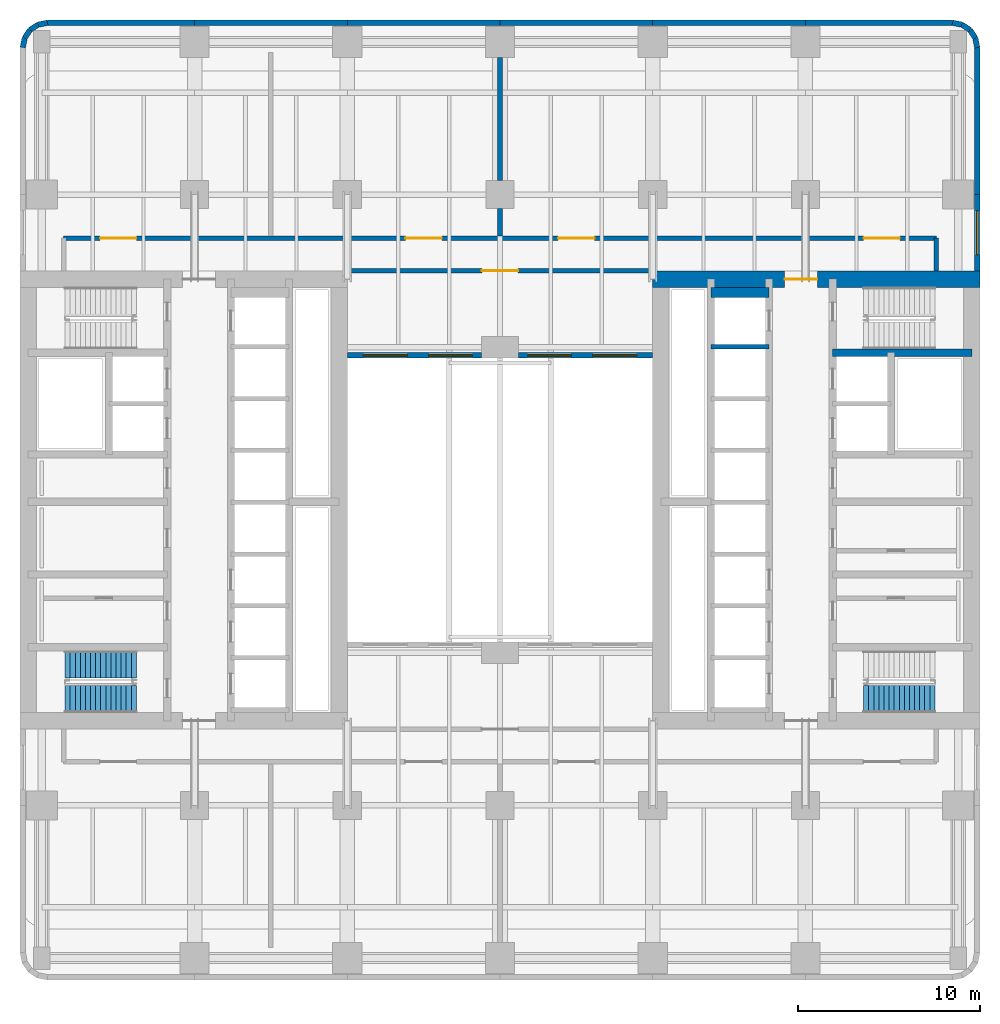
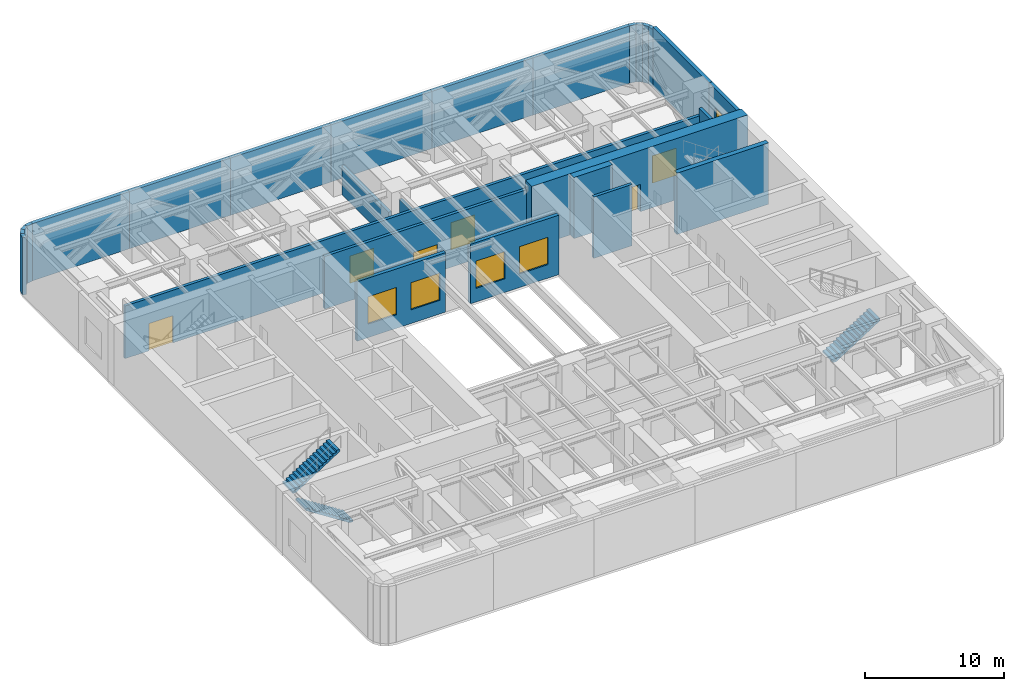
# One storey, part 6 of 11: 27 walls, 6 doors, 5 windows, 3 stair flights, 11 openings, 2 elements without a shape of their own.
"""IFC4 building model written with IfcOpenShell, lengths in metres."""

from ifc_helpers import new_model, si_unit, direction, frame, frame_2d, origin, place, context, subcontext, project, spatial, polyline, rectangle, outline, extrude, material, layer, layer_set, type_object, element, fill, aggregate, save


model = new_model("IFC4")

# Units and contexts
model_context = context("Model", 3, precision=1e-05, world=origin(), true_north=direction((0.0, 1.0)))
body_context = subcontext(model_context, "Body", "Model", "MODEL_VIEW")
ifc_project = project(units=[si_unit("LENGTHUNIT", "METRE"), si_unit("AREAUNIT", "SQUARE_METRE"), si_unit("VOLUMEUNIT", "CUBIC_METRE"), si_unit("PLANEANGLEUNIT", "RADIAN"), si_unit("MASSUNIT", "GRAM", prefix="KILO")], contexts=[model_context])

# Site, building, storey
site_placement = place(None, origin())
site = spatial("IfcSite", under=ifc_project, at=site_placement, CompositionType="ELEMENT")
building_placement = place(site_placement, origin())
building = spatial("IfcBuilding", under=site, at=building_placement, Name="Claustro Exchange Tower", CompositionType="ELEMENT")
storey_placement = place(building_placement, frame((0.0, 0.0, 90.89990234375)))
storey = spatial("IfcBuildingStorey", under=building, at=storey_placement, Name="L20", CompositionType="ELEMENT", Elevation=90.89990234375)

# Wall, openings, doors
ifc_material_1 = material(Name="Concrete blockwork, rendered", Category="masonry")
ifc_layer_1 = layer(ifc_material_1, 0.25)
ifc_layer_set_1 = layer_set([ifc_layer_1], Name="Concrete blockwork, rendered")
wall_type_1 = type_object("IfcWallType", Name="P4 250 blockwork wall", PredefinedType="PARTITIONING", material=ifc_layer_set_1)
wall_1_placement = place(storey_placement, frame((1.199951171875, 39.60009765625, 0.0), z_axis=(0.0, 0.0, 1.0), x_axis=(1.0, 0.0, 0.0)))
wall_1 = element("IfcWall", 1, at=wall_1_placement, inside=storey, type_object=wall_type_1, Name="Partition P4 L20", PredefinedType="PARTITIONING", context=body_context, shape_type="SweptSolid", body=[
    extrude(rectangle(XDim=48.0, YDim=0.25, at=frame_2d((24.0, 0.0))), origin(), (0.0, 0.0, 1.0), 4.64013671875),
])
opening_1_placement = place(wall_1_placement, frame((2.0, 0.0, 0.0)))
opening_1 = element("IfcOpeningElement", 2, at=opening_1_placement, cuts=wall_1, Name="Opening D9", PredefinedType="OPENING", context=body_context, shape_type="SweptSolid", body=[
    extrude(rectangle(XDim=2.0, YDim=2.39990234375, at=frame_2d((1.0, 1.199951171875))), frame((0.0, 0.135009765625, 0.0), z_axis=(0.0, -1.0, 0.0), x_axis=(1.0, 0.0, 0.0)), (0.0, 0.0, 1.0), 0.27001953125),
])
opening_2_placement = place(wall_1_placement, frame((18.800048828125, 0.0, 0.0)))
opening_2 = element("IfcOpeningElement", 3, at=opening_2_placement, cuts=wall_1, Name="Opening D9", PredefinedType="OPENING", context=body_context, shape_type="SweptSolid", body=[
    extrude(rectangle(XDim=2.0, YDim=2.39990234375, at=frame_2d((1.0, 1.199951171875))), frame((0.0, 0.135009765625, 0.0), z_axis=(0.0, -1.0, 0.0), x_axis=(1.0, 0.0, 0.0)), (0.0, 0.0, 1.0), 0.27001953125),
])
opening_3_placement = place(wall_1_placement, frame((27.199951171875, 0.0, 0.0)))
opening_3 = element("IfcOpeningElement", 4, at=opening_3_placement, cuts=wall_1, Name="Opening D9", PredefinedType="OPENING", context=body_context, shape_type="SweptSolid", body=[
    extrude(rectangle(XDim=2.0, YDim=2.39990234375, at=frame_2d((1.0, 1.199951171875))), frame((0.0, 0.135009765625, 0.0), z_axis=(0.0, -1.0, 0.0), x_axis=(1.0, 0.0, 0.0)), (0.0, 0.0, 1.0), 0.27001953125),
])
opening_4_placement = place(wall_1_placement, frame((44.0, 0.0, 0.0)))
opening_4 = element("IfcOpeningElement", 5, at=opening_4_placement, cuts=wall_1, Name="Opening D9", PredefinedType="OPENING", context=body_context, shape_type="SweptSolid", body=[
    extrude(rectangle(XDim=2.0, YDim=2.39990234375, at=frame_2d((1.0, 1.199951171875))), frame((0.0, 0.135009765625, 0.0), z_axis=(0.0, -1.0, 0.0), x_axis=(1.0, 0.0, 0.0)), (0.0, 0.0, 1.0), 0.27001953125),
])
ifc_material_2 = material(Name="Steel fire door, painted", Category="steel")
door_type_1 = type_object("IfcDoorType", Name="D9 2000 x 2400 plant room double door", OperationType="DOUBLE_DOOR_SINGLE_SWING", PredefinedType="DOOR", material=ifc_material_2)
door_1_placement = place(opening_1_placement, origin())
door_1 = element("IfcDoor", 6, at=door_1_placement, inside=storey, type_object=door_type_1, Name="Double door D9 L20", OperationType="DOUBLE_DOOR_SINGLE_SWING", OverallHeight=2.39990234375, OverallWidth=2.0, PredefinedType="DOOR", context=body_context, shape_type="SweptSolid", body=[
    extrude(rectangle(XDim=2.0, YDim=2.39990234375, at=frame_2d((1.0, 1.199951171875))), frame((0.0, 0.02490234375, 0.0), z_axis=(0.0, -1.0, 0.0), x_axis=(1.0, 0.0, 0.0)), (0.0, 0.0, 1.0), 0.050048828125),
])
fill(opening_1, door_1)
door_2_placement = place(opening_2_placement, origin())
door_2 = element("IfcDoor", 7, at=door_2_placement, inside=storey, type_object=door_type_1, Name="Double door D9 L20", OperationType="DOUBLE_DOOR_SINGLE_SWING", OverallHeight=2.39990234375, OverallWidth=2.0, PredefinedType="DOOR", context=body_context, shape_type="SweptSolid", body=[
    extrude(rectangle(XDim=2.0, YDim=2.39990234375, at=frame_2d((1.0, 1.199951171875))), frame((0.0, 0.02490234375, 0.0), z_axis=(0.0, -1.0, 0.0), x_axis=(1.0, 0.0, 0.0)), (0.0, 0.0, 1.0), 0.050048828125),
])
fill(opening_2, door_2)
door_3_placement = place(opening_3_placement, origin())
door_3 = element("IfcDoor", 8, at=door_3_placement, inside=storey, type_object=door_type_1, Name="Double door D9 L20", OperationType="DOUBLE_DOOR_SINGLE_SWING", OverallHeight=2.39990234375, OverallWidth=2.0, PredefinedType="DOOR", context=body_context, shape_type="SweptSolid", body=[
    extrude(rectangle(XDim=2.0, YDim=2.39990234375, at=frame_2d((1.0, 1.199951171875))), frame((0.0, 0.02490234375, 0.0), z_axis=(0.0, -1.0, 0.0), x_axis=(1.0, 0.0, 0.0)), (0.0, 0.0, 1.0), 0.050048828125),
])
fill(opening_3, door_3)
door_4_placement = place(opening_4_placement, origin())
door_4 = element("IfcDoor", 9, at=door_4_placement, inside=storey, type_object=door_type_1, Name="Double door D9 L20", OperationType="DOUBLE_DOOR_SINGLE_SWING", OverallHeight=2.39990234375, OverallWidth=2.0, PredefinedType="DOOR", context=body_context, shape_type="SweptSolid", body=[
    extrude(rectangle(XDim=2.0, YDim=2.39990234375, at=frame_2d((1.0, 1.199951171875))), frame((0.0, 0.02490234375, 0.0), z_axis=(0.0, -1.0, 0.0), x_axis=(1.0, 0.0, 0.0)), (0.0, 0.0, 1.0), 0.050048828125),
])
fill(opening_4, door_4)

# Walls
wall_2_placement = place(storey_placement, frame((49.199951171875, 37.800048828125, 0.0), z_axis=(0.0, 0.0, 1.0), x_axis=(0.0, 1.0, 0.0)))
element("IfcWall", 10, at=wall_2_placement, inside=storey, type_object=wall_type_1, Name="Partition P4 L20", PredefinedType="PARTITIONING", context=body_context, shape_type="SweptSolid", body=[
    extrude(rectangle(XDim=1.800048828125, YDim=0.25, at=frame_2d((0.89990234375, 0.0))), origin(), (0.0, 0.0, 1.0), 5.239990234375),
])
wall_3_placement = place(storey_placement, frame((25.199951171875, 39.72412109375, 0.0), z_axis=(0.0, 0.0, 1.0), x_axis=(0.0, 1.0, 0.0)))
element("IfcWall", 11, at=wall_3_placement, inside=storey, type_object=wall_type_1, Name="Partition P4 L20", PredefinedType="PARTITIONING", context=body_context, shape_type="SweptSolid", body=[
    extrude(rectangle(XDim=1.501953125, YDim=0.25, at=frame_2d((0.7509765625, 0.0))), origin(), (0.0, 0.0, 1.0), 4.64013671875),
])
wall_4_placement = place(storey_placement, frame((25.199951171875, 42.77392578125, 0.0), z_axis=(0.0, 0.0, 1.0), x_axis=(0.0, 1.0, 0.0)))
element("IfcWall", 12, at=wall_4_placement, inside=storey, type_object=wall_type_1, Name="Partition P4 L20", PredefinedType="PARTITIONING", context=body_context, shape_type="SweptSolid", body=[
    extrude(rectangle(XDim=6.777099609375, YDim=0.25, at=frame_2d((3.388671875, 0.0))), origin(), (0.0, 0.0, 1.0), 2.5400390625),
])

# Wall, opening, door
wall_5_placement = place(storey_placement, frame((16.798095703125, 37.800048828125, 0.0), z_axis=(0.0, 0.0, 1.0), x_axis=(1.0, 0.0, 0.0)))
wall_5 = element("IfcWall", 13, at=wall_5_placement, inside=storey, type_object=wall_type_1, Name="Partition P4 L20", PredefinedType="PARTITIONING", context=body_context, shape_type="SweptSolid", body=[
    extrude(rectangle(XDim=16.803955078125, YDim=0.25, at=frame_2d((8.40185546875, 0.0))), origin(), (0.0, 0.0, 1.0), 4.64013671875),
])
opening_5_placement = place(wall_5_placement, frame((7.402099609375, 0.0, 0.0)))
opening_5 = element("IfcOpeningElement", 14, at=opening_5_placement, cuts=wall_5, Name="Opening D9", PredefinedType="OPENING", context=body_context, shape_type="SweptSolid", body=[
    extrude(rectangle(XDim=2.0, YDim=2.39990234375, at=frame_2d((1.0, 1.199951171875))), frame((0.0, 0.135009765625, 0.0), z_axis=(0.0, -1.0, 0.0), x_axis=(1.0, 0.0, 0.0)), (0.0, 0.0, 1.0), 0.27001953125),
])
door_5_placement = place(opening_5_placement, origin())
door_5 = element("IfcDoor", 15, at=door_5_placement, inside=storey, type_object=door_type_1, Name="Double door D9 L20", OperationType="DOUBLE_DOOR_SINGLE_SWING", OverallHeight=2.39990234375, OverallWidth=2.0, PredefinedType="DOOR", context=body_context, shape_type="SweptSolid", body=[
    extrude(rectangle(XDim=2.0, YDim=2.39990234375, at=frame_2d((1.0, 1.199951171875))), frame((0.0, 0.02490234375, 0.0), z_axis=(0.0, -1.0, 0.0), x_axis=(1.0, 0.0, 0.0)), (0.0, 0.0, 1.0), 0.050048828125),
])
fill(opening_5, door_5)

# Walls
ifc_material_3 = material(Name="Concrete HA-40 (C40/50), precast, white cement, acid-etched", Category="concrete")
ifc_layer_2 = layer(ifc_material_3, 0.300048828125)
ifc_layer_set_2 = layer_set([ifc_layer_2], Name="Concrete HA-40 (C40/50), precast, white cement, acid-etched")
wall_type_2 = type_object("IfcWallType", Name="PC1 300 precast concrete pier panel", PredefinedType="SOLIDWALL", material=ifc_layer_set_2)
wall_6_placement = place(storey_placement, frame((-1.050048828125, 50.085205078125, 0.0), z_axis=(0.0, 0.0, 1.0), x_axis=(0.195073962632, 0.980788534345, 0.0)))
element("IfcWall", 16, at=wall_6_placement, inside=storey, type_object=wall_type_2, Name="Precast pier panel PC1 L20", PredefinedType="SOLIDWALL", context=body_context, shape_type="SweptSolid", body=[
    extrude(rectangle(XDim=0.540771484375, YDim=0.300048828125, at=frame_2d((0.2705078125, 0.0))), origin(), (0.0, 0.0, 1.0), 5.0400390625),
])
for number, where, z_axis, x_axis, name in (
    (17, (-0.944580078125, 50.615478515625, 0.0), (0.0, 0.0, 1.0), (0.555557463938, 0.831478144188, 0.0), "Precast pier panel PC1 L20"),
    (18, (-0.652587890625, 51.052490234375, 0.0), (0.0, 0.0, 1.0), (0.831478144188, 0.555557463938, 0.0), "Precast pier panel PC1 L20"),
):
    element("IfcWall", number, at=place(storey_placement, frame(where, z_axis=z_axis, x_axis=x_axis)), inside=storey, type_object=wall_type_2, Name=name, PredefinedType="SOLIDWALL", context=body_context, shape_type="SweptSolid", body=[
        extrude(rectangle(XDim=0.525634765625, YDim=0.300048828125, at=frame_2d((0.2626953125, 0.0))), origin(), (0.0, 0.0, 1.0), 5.0400390625),
    ])
wall_7_placement = place(storey_placement, frame((-0.215576171875, 51.344482421875, 0.0), z_axis=(0.0, 0.0, 1.0), x_axis=(0.980788534345, 0.195073962632, 0.0)))
element("IfcWall", 19, at=wall_7_placement, inside=storey, type_object=wall_type_2, Name="Precast pier panel PC1 L20", PredefinedType="SOLIDWALL", context=body_context, shape_type="SweptSolid", body=[
    extrude(rectangle(XDim=0.540771484375, YDim=0.300048828125, at=frame_2d((0.2705078125, 0.0))), origin(), (0.0, 0.0, 1.0), 5.0400390625),
])
wall_8_placement = place(storey_placement, frame((0.314697265625, 51.449951171875, 0.0), z_axis=(0.0, 0.0, 1.0), x_axis=(1.0, 0.0, 0.0)))
element("IfcWall", 20, at=wall_8_placement, inside=storey, type_object=wall_type_2, Name="Precast pier panel PC1 L20", PredefinedType="SOLIDWALL", context=body_context, shape_type="SweptSolid", body=[
    extrude(rectangle(XDim=8.085205078125, YDim=0.300048828125, at=frame_2d((4.04248046875, 0.0))), origin(), (0.0, 0.0, 1.0), 5.0400390625),
])
wall_9_placement = place(storey_placement, frame((8.39990234375, 51.449951171875, 0.0), z_axis=(0.0, 0.0, 1.0), x_axis=(1.0, 0.0, 0.0)))
element("IfcWall", 21, at=wall_9_placement, inside=storey, type_object=wall_type_2, Name="Precast pier panel PC1 L20", PredefinedType="SOLIDWALL", context=body_context, shape_type="SweptSolid", body=[
    extrude(rectangle(XDim=8.400146484375, YDim=0.300048828125, at=frame_2d((4.2001953125, 0.0))), origin(), (0.0, 0.0, 1.0), 5.0400390625),
])
wall_10_placement = place(storey_placement, frame((16.800048828125, 51.449951171875, 0.0), z_axis=(0.0, 0.0, 1.0), x_axis=(1.0, 0.0, 0.0)))
element("IfcWall", 22, at=wall_10_placement, inside=storey, type_object=wall_type_2, Name="Precast pier panel PC1 L20", PredefinedType="SOLIDWALL", context=body_context, shape_type="SweptSolid", body=[
    extrude(rectangle(XDim=8.39990234375, YDim=0.300048828125, at=frame_2d((4.199951171875, 0.0))), origin(), (0.0, 0.0, 1.0), 5.0400390625),
])
wall_11_placement = place(storey_placement, frame((25.199951171875, 51.449951171875, 0.0), z_axis=(0.0, 0.0, 1.0), x_axis=(1.0, 0.0, 0.0)))
element("IfcWall", 23, at=wall_11_placement, inside=storey, type_object=wall_type_2, Name="Precast pier panel PC1 L20", PredefinedType="SOLIDWALL", context=body_context, shape_type="SweptSolid", body=[
    extrude(rectangle(XDim=8.400146484375, YDim=0.300048828125, at=frame_2d((4.2001953125, 0.0))), origin(), (0.0, 0.0, 1.0), 5.0400390625),
])
wall_12_placement = place(storey_placement, frame((33.60009765625, 51.449951171875, 0.0), z_axis=(0.0, 0.0, 1.0), x_axis=(1.0, 0.0, 0.0)))
element("IfcWall", 24, at=wall_12_placement, inside=storey, type_object=wall_type_2, Name="Precast pier panel PC1 L20", PredefinedType="SOLIDWALL", context=body_context, shape_type="SweptSolid", body=[
    extrude(rectangle(XDim=8.39990234375, YDim=0.300048828125, at=frame_2d((4.199951171875, 0.0))), origin(), (0.0, 0.0, 1.0), 5.0400390625),
])
wall_13_placement = place(storey_placement, frame((42.0, 51.449951171875, 0.0), z_axis=(0.0, 0.0, 1.0), x_axis=(1.0, 0.0, 0.0)))
element("IfcWall", 25, at=wall_13_placement, inside=storey, type_object=wall_type_2, Name="Precast pier panel PC1 L20", PredefinedType="SOLIDWALL", context=body_context, shape_type="SweptSolid", body=[
    extrude(rectangle(XDim=8.085205078125, YDim=0.300048828125, at=frame_2d((4.04248046875, 0.0))), origin(), (0.0, 0.0, 1.0), 5.0400390625),
])
wall_14_placement = place(storey_placement, frame((50.085205078125, 51.449951171875, 0.0), z_axis=(0.0, 0.0, 1.0), x_axis=(0.980788534345, -0.195073962632, 0.0)))
element("IfcWall", 26, at=wall_14_placement, inside=storey, type_object=wall_type_2, Name="Precast pier panel PC1 L20", PredefinedType="SOLIDWALL", context=body_context, shape_type="SweptSolid", body=[
    extrude(rectangle(XDim=0.540771484375, YDim=0.300048828125, at=frame_2d((0.2705078125, 0.0))), origin(), (0.0, 0.0, 1.0), 5.0400390625),
])
for number, where, z_axis, x_axis, name in (
    (27, (50.615478515625, 51.344482421875, 0.0), (0.0, 0.0, 1.0), (0.831478144188, -0.555557463938, 0.0), "Precast pier panel PC1 L20"),
    (28, (51.052490234375, 51.052490234375, 0.0), (0.0, 0.0, 1.0), (0.555557463938, -0.831478144188, 0.0), "Precast pier panel PC1 L20"),
):
    element("IfcWall", number, at=place(storey_placement, frame(where, z_axis=z_axis, x_axis=x_axis)), inside=storey, type_object=wall_type_2, Name=name, PredefinedType="SOLIDWALL", context=body_context, shape_type="SweptSolid", body=[
        extrude(rectangle(XDim=0.525634765625, YDim=0.300048828125, at=frame_2d((0.2626953125, 0.0))), origin(), (0.0, 0.0, 1.0), 5.0400390625),
    ])
wall_15_placement = place(storey_placement, frame((51.344482421875, 50.615478515625, 0.0), z_axis=(0.0, 0.0, 1.0), x_axis=(0.195073962632, -0.980788534345, 0.0)))
element("IfcWall", 29, at=wall_15_placement, inside=storey, type_object=wall_type_2, Name="Precast pier panel PC1 L20", PredefinedType="SOLIDWALL", context=body_context, shape_type="SweptSolid", body=[
    extrude(rectangle(XDim=0.540771484375, YDim=0.300048828125, at=frame_2d((0.2705078125, 0.0))), origin(), (0.0, 0.0, 1.0), 5.0400390625),
])
wall_16_placement = place(storey_placement, frame((51.449951171875, 50.085205078125, 0.0), z_axis=(0.0, 0.0, 1.0), x_axis=(0.0, -1.0, 0.0)))
element("IfcWall", 30, at=wall_16_placement, inside=storey, type_object=wall_type_2, Name="Precast pier panel PC1 L20", PredefinedType="SOLIDWALL", context=body_context, shape_type="SweptSolid", body=[
    extrude(rectangle(XDim=8.085205078125, YDim=0.300048828125, at=frame_2d((4.04248046875, 0.0))), origin(), (0.0, 0.0, 1.0), 5.239990234375),
])

# Wall, opening, window
wall_17_placement = place(storey_placement, frame((51.449951171875, 42.0, 0.0), z_axis=(0.0, 0.0, 1.0), x_axis=(0.0, -1.0, 0.0)))
wall_17 = element("IfcWall", 31, at=wall_17_placement, inside=storey, type_object=wall_type_2, Name="Precast pier panel PC1 L20", PredefinedType="SOLIDWALL", context=body_context, shape_type="SweptSolid", body=[
    extrude(rectangle(XDim=4.199951171875, YDim=0.300048828125, at=frame_2d((2.10009765625, 0.0))), origin(), (0.0, 0.0, 1.0), 5.239990234375),
])
opening_6_placement = place(wall_17_placement, frame((0.89990234375, 0.0, 1.199951171875)))
opening_6 = element("IfcOpeningElement", 32, at=opening_6_placement, cuts=wall_17, Name="Opening L2", PredefinedType="OPENING", context=body_context, shape_type="SweptSolid", body=[
    extrude(rectangle(XDim=2.39990234375, YDim=2.39990234375, at=frame_2d((1.199951171875, 1.199951171875))), frame((0.0, 0.159912109375, 0.0), z_axis=(0.0, -1.0, 0.0), x_axis=(1.0, 0.0, 0.0)), (0.0, 0.0, 1.0), 0.320068359375),
])
ifc_material_4 = material(Name="Aluminium louvre blades", Category="aluminium")
window_type = type_object("IfcWindowType", Name="L2 2400 x 2400 plant louvre", PartitioningType="SINGLE_PANEL", PredefinedType="USERDEFINED", material=ifc_material_4)
window_1_placement = place(opening_6_placement, origin())
window_1 = element("IfcWindow", 33, at=window_1_placement, inside=storey, type_object=window_type, Name="Plant louvre L2 L20", ObjectType="LOUVRE", OverallHeight=2.39990234375, OverallWidth=2.39990234375, PartitioningType="SINGLE_PANEL", PredefinedType="USERDEFINED", context=body_context, shape_type="SweptSolid", body=[
    extrude(rectangle(XDim=2.39990234375, YDim=2.39990234375, at=frame_2d((1.199951171875, 1.199951171875))), frame((0.0, 0.030029296875, 0.0), z_axis=(0.0, -1.0, 0.0), x_axis=(1.0, 0.0, 0.0)), (0.0, 0.0, 1.0), 0.06005859375),
])
fill(opening_6, window_1)

# Wall, openings, windows
wall_18_placement = place(storey_placement, frame((16.800048828125, 33.14990234375, 0.0), z_axis=(0.0, 0.0, 1.0), x_axis=(1.0, 0.0, 0.0)))
wall_18 = element("IfcWall", 34, at=wall_18_placement, inside=storey, type_object=wall_type_2, Name="Precast pier panel PC1 L20", PredefinedType="SOLIDWALL", context=body_context, shape_type="SweptSolid", body=[
    extrude(rectangle(XDim=7.375, YDim=0.300048828125, at=frame_2d((3.6875, 0.0))), origin(), (0.0, 0.0, 1.0), 5.239990234375),
])
opening_7_placement = place(wall_18_placement, frame((0.887451171875, 0.0, 1.199951171875)))
opening_7 = element("IfcOpeningElement", 35, at=opening_7_placement, cuts=wall_18, Name="Opening L2", PredefinedType="OPENING", context=body_context, shape_type="SweptSolid", body=[
    extrude(rectangle(XDim=2.39990234375, YDim=2.39990234375, at=frame_2d((1.199951171875, 1.199951171875))), frame((0.0, 0.159912109375, 0.0), z_axis=(0.0, -1.0, 0.0), x_axis=(1.0, 0.0, 0.0)), (0.0, 0.0, 1.0), 0.320068359375),
])
opening_8_placement = place(wall_18_placement, frame((4.487548828125, 0.0, 1.199951171875)))
opening_8 = element("IfcOpeningElement", 36, at=opening_8_placement, cuts=wall_18, Name="Opening L2", PredefinedType="OPENING", context=body_context, shape_type="SweptSolid", body=[
    extrude(rectangle(XDim=2.39990234375, YDim=2.39990234375, at=frame_2d((1.199951171875, 1.199951171875))), frame((0.0, 0.159912109375, 0.0), z_axis=(0.0, -1.0, 0.0), x_axis=(1.0, 0.0, 0.0)), (0.0, 0.0, 1.0), 0.320068359375),
])
window_2_placement = place(opening_7_placement, origin())
window_2 = element("IfcWindow", 37, at=window_2_placement, inside=storey, type_object=window_type, Name="Plant louvre L2 L20", ObjectType="LOUVRE", OverallHeight=2.39990234375, OverallWidth=2.39990234375, PartitioningType="SINGLE_PANEL", PredefinedType="USERDEFINED", context=body_context, shape_type="SweptSolid", body=[
    extrude(rectangle(XDim=2.39990234375, YDim=2.39990234375, at=frame_2d((1.199951171875, 1.199951171875))), frame((0.0, 0.030029296875, 0.0), z_axis=(0.0, -1.0, 0.0), x_axis=(1.0, 0.0, 0.0)), (0.0, 0.0, 1.0), 0.06005859375),
])
fill(opening_7, window_2)
window_3_placement = place(opening_8_placement, origin())
window_3 = element("IfcWindow", 38, at=window_3_placement, inside=storey, type_object=window_type, Name="Plant louvre L2 L20", ObjectType="LOUVRE", OverallHeight=2.39990234375, OverallWidth=2.39990234375, PartitioningType="SINGLE_PANEL", PredefinedType="USERDEFINED", context=body_context, shape_type="SweptSolid", body=[
    extrude(rectangle(XDim=2.39990234375, YDim=2.39990234375, at=frame_2d((1.199951171875, 1.199951171875))), frame((0.0, 0.030029296875, 0.0), z_axis=(0.0, -1.0, 0.0), x_axis=(1.0, 0.0, 0.0)), (0.0, 0.0, 1.0), 0.06005859375),
])
fill(opening_8, window_3)

wall_19_placement = place(storey_placement, frame((26.22509765625, 33.14990234375, 0.0), z_axis=(0.0, 0.0, 1.0), x_axis=(1.0, 0.0, 0.0)))
wall_19 = element("IfcWall", 39, at=wall_19_placement, inside=storey, type_object=wall_type_2, Name="Precast pier panel PC1 L20", PredefinedType="SOLIDWALL", context=body_context, shape_type="SweptSolid", body=[
    extrude(rectangle(XDim=7.375, YDim=0.300048828125, at=frame_2d((3.6875, 0.0))), origin(), (0.0, 0.0, 1.0), 5.239990234375),
])
opening_9_placement = place(wall_19_placement, frame((0.487548828125, 0.0, 1.199951171875)))
opening_9 = element("IfcOpeningElement", 40, at=opening_9_placement, cuts=wall_19, Name="Opening L2", PredefinedType="OPENING", context=body_context, shape_type="SweptSolid", body=[
    extrude(rectangle(XDim=2.39990234375, YDim=2.39990234375, at=frame_2d((1.199951171875, 1.199951171875))), frame((0.0, 0.159912109375, 0.0), z_axis=(0.0, -1.0, 0.0), x_axis=(1.0, 0.0, 0.0)), (0.0, 0.0, 1.0), 0.320068359375),
])
opening_10_placement = place(wall_19_placement, frame((4.08740234375, 0.0, 1.199951171875)))
opening_10 = element("IfcOpeningElement", 41, at=opening_10_placement, cuts=wall_19, Name="Opening L2", PredefinedType="OPENING", context=body_context, shape_type="SweptSolid", body=[
    extrude(rectangle(XDim=2.39990234375, YDim=2.39990234375, at=frame_2d((1.199951171875, 1.199951171875))), frame((0.0, 0.159912109375, 0.0), z_axis=(0.0, -1.0, 0.0), x_axis=(1.0, 0.0, 0.0)), (0.0, 0.0, 1.0), 0.320068359375),
])
window_4_placement = place(opening_9_placement, origin())
window_4 = element("IfcWindow", 42, at=window_4_placement, inside=storey, type_object=window_type, Name="Plant louvre L2 L20", ObjectType="LOUVRE", OverallHeight=2.39990234375, OverallWidth=2.39990234375, PartitioningType="SINGLE_PANEL", PredefinedType="USERDEFINED", context=body_context, shape_type="SweptSolid", body=[
    extrude(rectangle(XDim=2.39990234375, YDim=2.39990234375, at=frame_2d((1.199951171875, 1.199951171875))), frame((0.0, 0.030029296875, 0.0), z_axis=(0.0, -1.0, 0.0), x_axis=(1.0, 0.0, 0.0)), (0.0, 0.0, 1.0), 0.06005859375),
])
fill(opening_9, window_4)
window_5_placement = place(opening_10_placement, origin())
window_5 = element("IfcWindow", 43, at=window_5_placement, inside=storey, type_object=window_type, Name="Plant louvre L2 L20", ObjectType="LOUVRE", OverallHeight=2.39990234375, OverallWidth=2.39990234375, PartitioningType="SINGLE_PANEL", PredefinedType="USERDEFINED", context=body_context, shape_type="SweptSolid", body=[
    extrude(rectangle(XDim=2.39990234375, YDim=2.39990234375, at=frame_2d((1.199951171875, 1.199951171875))), frame((0.0, 0.030029296875, 0.0), z_axis=(0.0, -1.0, 0.0), x_axis=(1.0, 0.0, 0.0)), (0.0, 0.0, 1.0), 0.06005859375),
])
fill(opening_10, window_5)

# Wall, opening, door
ifc_material_5 = material(Name="Concrete HA-70 (C70/85)", Category="concrete")
ifc_layer_3 = layer(ifc_material_5, 0.89990234375)
ifc_layer_set_3 = layer_set([ifc_layer_3], Name="Concrete HA-70 (C70/85)")
wall_type_3 = type_object("IfcWallType", Name="SW1 900 core shear wall", PredefinedType="SHEAR", material=ifc_layer_set_3)
wall_20_placement = place(storey_placement, frame((33.60009765625, 37.35009765625, 0.0), z_axis=(0.0, 0.0, 1.0), x_axis=(1.0, 0.0, 0.0)))
wall_20 = element("IfcWall", 44, at=wall_20_placement, inside=storey, type_object=wall_type_3, Name="Core wall SW1 E core N face L20", PredefinedType="SHEAR", context=body_context, shape_type="SweptSolid", body=[
    extrude(rectangle(XDim=18.0, YDim=0.89990234375, at=frame_2d((9.0, 0.0))), origin(), (0.0, 0.0, 1.0), 5.400146484375),
])
opening_11_placement = place(wall_20_placement, frame((7.25, 0.0, 0.0)))
opening_11 = element("IfcOpeningElement", 45, at=opening_11_placement, cuts=wall_20, Name="Opening D3", PredefinedType="OPENING", context=body_context, shape_type="SweptSolid", body=[
    extrude(rectangle(XDim=1.800048828125, YDim=2.39990234375, at=frame_2d((0.89990234375, 1.199951171875))), frame((0.0, 0.4599609375, 0.0), z_axis=(0.0, -1.0, 0.0), x_axis=(1.0, 0.0, 0.0)), (0.0, 0.0, 1.0), 0.919921875),
])
ifc_material_6 = material(Name="Steel fire door, painted", Category="steel")
door_type_2 = type_object("IfcDoorType", Name="D3 1800 x 2400 fire-rated lobby double door", OperationType="DOUBLE_DOOR_SINGLE_SWING", PredefinedType="DOOR", material=ifc_material_6)
door_6_placement = place(opening_11_placement, frame((1.800048828125, 0.0, 0.0), z_axis=(0.0, 0.0, 1.0), x_axis=(-1.0, 0.0, 0.0)))
door_6 = element("IfcDoor", 46, at=door_6_placement, inside=storey, type_object=door_type_2, Name="Lift lobby door D3 L20", OperationType="DOUBLE_DOOR_SINGLE_SWING", OverallHeight=2.39990234375, OverallWidth=1.800048828125, PredefinedType="DOOR", context=body_context, shape_type="SweptSolid", body=[
    extrude(rectangle(XDim=1.800048828125, YDim=2.39990234375, at=frame_2d((0.89990234375, 1.199951171875))), frame((0.0, 0.02490234375, 0.0), z_axis=(0.0, -1.0, 0.0), x_axis=(1.0, 0.0, 0.0)), (0.0, 0.0, 1.0), 0.050048828125),
])
fill(opening_11, door_6)

# Walls
ifc_material_7 = material(Name="Concrete HA-50 (C50/60)", Category="concrete")
ifc_layer_4 = layer(ifc_material_7, 0.39990234375)
ifc_layer_set_4 = layer_set([ifc_layer_4], Name="Concrete HA-50 (C50/60)")
wall_type_4 = type_object("IfcWallType", Name="SW4 400 internal core wall", PredefinedType="SHEAR", material=ifc_layer_set_4)
wall_21_placement = place(storey_placement, frame((51.14990234375, 33.300048828125, 0.0), z_axis=(0.0, 0.0, 1.0), x_axis=(-1.0, 0.0, 0.0)))
element("IfcWall", 47, at=wall_21_placement, inside=storey, type_object=wall_type_4, Name="Internal core wall SW4 E core L20", PredefinedType="SHEAR", context=body_context, shape_type="SweptSolid", body=[
    extrude(rectangle(XDim=7.64990234375, YDim=0.39990234375, at=frame_2d((3.824951171875, 0.0))), origin(), (0.0, 0.0, 1.0), 5.400146484375),
])
ifc_material_8 = material(Name="Concrete HA-50 (C50/60)", Category="concrete")
ifc_layer_5 = layer(ifc_material_8, 0.25)
ifc_layer_set_5 = layer_set([ifc_layer_5], Name="Concrete HA-50 (C50/60)")
wall_type_5 = type_object("IfcWallType", Name="SW5 250 lift shaft divider wall", PredefinedType="SHEAR", material=ifc_layer_set_5)
wall_22_placement = place(storey_placement, frame((40.0, 33.625, 0.0), z_axis=(0.0, 0.0, 1.0), x_axis=(-1.0, 0.0, 0.0)))
element("IfcWall", 48, at=wall_22_placement, inside=storey, type_object=wall_type_5, Name="Lift shaft wall E core L20", PredefinedType="SHEAR", context=body_context, shape_type="SweptSolid", body=[
    extrude(rectangle(XDim=3.199951171875, YDim=0.25, at=frame_2d((1.60009765625, 0.0))), origin(), (0.0, 0.0, 1.0), 5.400146484375),
])
ifc_material_9 = material(Name="Concrete HA-50 (C50/60)", Category="concrete")
ifc_layer_6 = layer(ifc_material_9, 0.550048828125)
ifc_layer_set_6 = layer_set([ifc_layer_6], Name="Concrete HA-50 (C50/60)")
wall_type_6 = type_object("IfcWallType", Name="SW6 550 lift shaft end wall", PredefinedType="SHEAR", material=ifc_layer_set_6)
wall_23_placement = place(storey_placement, frame((40.0, 36.625, 0.0), z_axis=(0.0, 0.0, 1.0), x_axis=(-1.0, 0.0, 0.0)))
element("IfcWall", 49, at=wall_23_placement, inside=storey, type_object=wall_type_6, Name="Lift shaft wall E core L20", PredefinedType="SHEAR", context=body_context, shape_type="SweptSolid", body=[
    extrude(rectangle(XDim=3.199951171875, YDim=0.550048828125, at=frame_2d((1.60009765625, 0.0))), origin(), (0.0, 0.0, 1.0), 5.400146484375),
])

# Stair, stair flights
ifc_material_10 = material(Name="Concrete HA-30 (C30/37), precast", Category="concrete")
stair_type = type_object("IfcStairType", Name="ST3 half-turn stair, 30 risers of 180", PredefinedType="HALF_TURN_STAIR", material=ifc_material_10)
stair_1_placement = place(storey_placement, origin())
stair_1 = element("IfcStair", 50, at=stair_1_placement, inside=storey, type_object=stair_type, Name="Stair STWA L20", PredefinedType="HALF_TURN_STAIR")
ifc_material_11 = material(Name="Concrete HA-30 (C30/37), precast", Category="concrete")
stair_flight_type = type_object("IfcStairFlightType", Name="SF15 straight flight, 15 risers of 180, 1500 wide", PredefinedType="STRAIGHT", material=ifc_material_11)
stair_flight_1_placement = place(storey_placement, frame((5.199951171875, 14.25, 0.0), z_axis=(0.0, 0.0, 1.0), x_axis=(-1.0, 0.0, 0.0)))
stair_flight_1 = element("IfcStairFlight", 51, at=stair_flight_1_placement, type_object=stair_flight_type, Name="STWA flight 1", NumberOfRisers=15, NumberOfTreads=14, PredefinedType="STRAIGHT", RiserHeight=0.18, TreadLength=0.28, context=body_context, shape_type="SweptSolid", body=[
    extrude(outline(polyline([(0.0, 0.0), (0.0, 0.179931640625), (0.280029296875, 0.179931640625), (0.280029296875, 0.360107421875), (0.56005859375, 0.360107421875), (0.56005859375, 0.5400390625), (0.840087890625, 0.5400390625), (0.840087890625, 0.719970703125), (1.1201171875, 0.719970703125), (1.1201171875, 0.89990234375), (1.39990234375, 0.89990234375), (1.39990234375, 1.080078125), (1.679931640625, 1.080078125), (1.679931640625, 1.260009765625), (1.9599609375, 1.260009765625), (1.9599609375, 1.43994140625), (2.239990234375, 1.43994140625), (2.239990234375, 1.6201171875), (2.52001953125, 1.6201171875), (2.52001953125, 1.800048828125), (2.800048828125, 1.800048828125), (2.800048828125, 1.97998046875), (3.080078125, 1.97998046875), (3.080078125, 2.159912109375), (3.360107421875, 2.159912109375), (3.360107421875, 2.340087890625), (3.639892578125, 2.340087890625), (3.639892578125, 2.52001953125), (3.919921875, 2.52001953125), (3.919921875, 2.699951171875), (3.919921875, 2.341796875), (0.277099609375, 0.0), (0.0, 0.0)])), frame((0.0, 0.75, 0.0), z_axis=(0.0, -1.0, 0.0), x_axis=(1.0, 0.0, 0.0)), (0.0, 0.0, 1.0), 1.5),
])
stair_flight_2_placement = place(storey_placement, frame((1.280029296875, 16.14990234375, 2.7001953125), z_axis=(0.0, 0.0, 1.0), x_axis=(1.0, 0.0, 0.0)))
stair_flight_2 = element("IfcStairFlight", 52, at=stair_flight_2_placement, type_object=stair_flight_type, Name="STWA flight 2", NumberOfRisers=15, NumberOfTreads=14, PredefinedType="STRAIGHT", RiserHeight=0.18, TreadLength=0.28, context=body_context, shape_type="SweptSolid", body=[
    extrude(outline(polyline([(0.0, 0.0), (0.0, 0.179931640625), (0.280029296875, 0.179931640625), (0.280029296875, 0.360107421875), (0.56005859375, 0.360107421875), (0.56005859375, 0.5400390625), (0.840087890625, 0.5400390625), (0.840087890625, 0.719970703125), (1.1201171875, 0.719970703125), (1.1201171875, 0.89990234375), (1.39990234375, 0.89990234375), (1.39990234375, 1.080078125), (1.679931640625, 1.080078125), (1.679931640625, 1.260009765625), (1.9599609375, 1.260009765625), (1.9599609375, 1.43994140625), (2.239990234375, 1.43994140625), (2.239990234375, 1.6201171875), (2.52001953125, 1.6201171875), (2.52001953125, 1.800048828125), (2.800048828125, 1.800048828125), (2.800048828125, 1.97998046875), (3.080078125, 1.97998046875), (3.080078125, 2.159912109375), (3.360107421875, 2.159912109375), (3.360107421875, 2.340087890625), (3.639892578125, 2.340087890625), (3.639892578125, 2.52001953125), (3.919921875, 2.52001953125), (3.919921875, 2.699951171875), (3.919921875, 2.341796875), (0.277099609375, 0.0), (0.0, 0.0)])), frame((0.0, 0.75, 0.0), z_axis=(0.0, -1.0, 0.0), x_axis=(1.0, 0.0, 0.0)), (0.0, 0.0, 1.0), 1.5),
])
aggregate(stair_1, [stair_flight_1, stair_flight_2])

# Stair, stair flight
stair_2_placement = place(storey_placement, origin())
stair_2 = element("IfcStair", 53, at=stair_2_placement, inside=storey, type_object=stair_type, Name="Stair STEA L20", PredefinedType="HALF_TURN_STAIR")
stair_flight_3_placement = place(storey_placement, frame((45.199951171875, 14.25, 0.0), z_axis=(0.0, 0.0, 1.0), x_axis=(1.0, 0.0, 0.0)))
stair_flight_3 = element("IfcStairFlight", 54, at=stair_flight_3_placement, type_object=stair_flight_type, Name="STEA flight 1", NumberOfRisers=15, NumberOfTreads=14, PredefinedType="STRAIGHT", RiserHeight=0.18, TreadLength=0.28, context=body_context, shape_type="SweptSolid", body=[
    extrude(outline(polyline([(0.0, 0.0), (0.0, 0.179931640625), (0.280029296875, 0.179931640625), (0.280029296875, 0.360107421875), (0.56005859375, 0.360107421875), (0.56005859375, 0.5400390625), (0.840087890625, 0.5400390625), (0.840087890625, 0.719970703125), (1.1201171875, 0.719970703125), (1.1201171875, 0.89990234375), (1.39990234375, 0.89990234375), (1.39990234375, 1.080078125), (1.679931640625, 1.080078125), (1.679931640625, 1.260009765625), (1.9599609375, 1.260009765625), (1.9599609375, 1.43994140625), (2.239990234375, 1.43994140625), (2.239990234375, 1.6201171875), (2.52001953125, 1.6201171875), (2.52001953125, 1.800048828125), (2.800048828125, 1.800048828125), (2.800048828125, 1.97998046875), (3.080078125, 1.97998046875), (3.080078125, 2.159912109375), (3.360107421875, 2.159912109375), (3.360107421875, 2.340087890625), (3.639892578125, 2.340087890625), (3.639892578125, 2.52001953125), (3.919921875, 2.52001953125), (3.919921875, 2.699951171875), (3.919921875, 2.341796875), (0.277099609375, 0.0), (0.0, 0.0)])), frame((0.0, 0.75, 0.0), z_axis=(0.0, -1.0, 0.0), x_axis=(1.0, 0.0, 0.0)), (0.0, 0.0, 1.0), 1.5),
])
aggregate(stair_2, [stair_flight_3])

save(model, "model.ifc")
